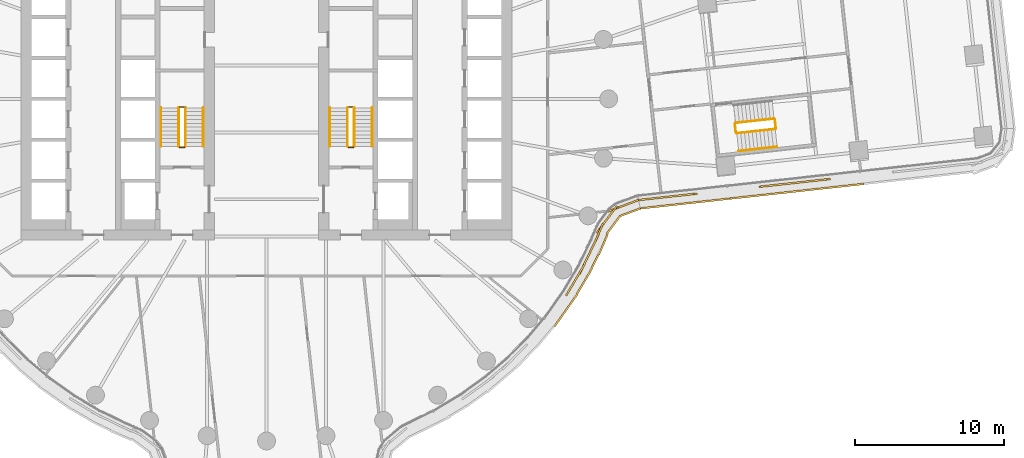
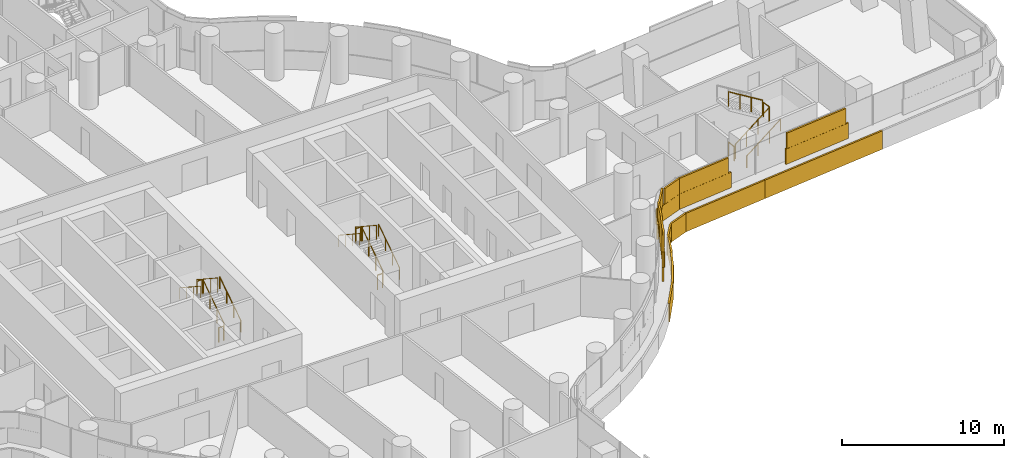
# One storey, part 28 of 31: 17 railings, 3 coverings.
"""IFC4 building model written with IfcOpenShell, lengths in metres."""

from ifc_helpers import new_model, si_unit, direction, frame, origin, origin_2d, place, context, subcontext, project, spatial, rectangle, circle, extrude, material, layer, layer_set, type_object, element, save


model = new_model("IFC4")

# Units and contexts
model_context = context("Model", 3, precision=1e-05, world=origin(), true_north=direction((0.0, 1.0)))
body_context = subcontext(model_context, "Body", "Model", "MODEL_VIEW")
ifc_project = project(units=[si_unit("LENGTHUNIT", "METRE"), si_unit("AREAUNIT", "SQUARE_METRE"), si_unit("VOLUMEUNIT", "CUBIC_METRE"), si_unit("PLANEANGLEUNIT", "RADIAN"), si_unit("MASSUNIT", "GRAM", prefix="KILO")], contexts=[model_context])

# Site, building, storey
site_placement = place(None, origin())
site = spatial("IfcSite", under=ifc_project, at=site_placement, CompositionType="ELEMENT")
building_placement = place(site_placement, origin())
building = spatial("IfcBuilding", under=site, at=building_placement, Name="Tamarind Cross Interchange Tower", CompositionType="ELEMENT")
storey_placement = place(building_placement, frame((0.0, 0.0, 56.5)))
storey = spatial("IfcBuildingStorey", under=building, at=storey_placement, Name="L12", CompositionType="ELEMENT", Elevation=56.5)

# Railings
ifc_material_1 = material(Name="Stair guard")
railing_type_1 = type_object("IfcRailingType", Name="Stair guard", PredefinedType="GUARDRAIL", material=ifc_material_1)
railing_1_placement = place(storey_placement, frame((-5.449951171875, -3.199951171875, 0.17041015625)))
element("IfcRailing", 1, at=railing_1_placement, inside=storey, type_object=railing_type_1, Name="L12 ST1 stair guard 1", PredefinedType="GUARDRAIL", context=body_context, shape_type="SweptSolid", body=[
    extrude(circle(Radius=0.02392578125, at=origin_2d()), frame((0.0, 0.0, 1.076171875), z_axis=(0.0, 0.836278606002, 0.548304744775), x_axis=(-1.0, 0.0, 0.0)), (0.0, 0.0, 1.0), 3.10888671875),
    extrude(circle(Radius=0.02099609375, at=origin_2d()), origin(), (0.0, 0.0, 1.0), 1.052001953125),
    extrude(circle(Radius=0.02099609375, at=origin_2d()), frame((0.0, 0.86669921875, 0.568115234375)), (0.0, 0.0, 1.0), 1.052001953125),
    extrude(circle(Radius=0.02099609375, at=origin_2d()), frame((0.0, 1.733154296875, 1.136474609375)), (0.0, 0.0, 1.0), 1.052001953125),
    extrude(circle(Radius=0.02099609375, at=origin_2d()), frame((0.0, 2.599853515625, 1.70458984375)), (0.0, 0.0, 1.0), 1.052001953125),
])
railing_2_placement = place(storey_placement, frame((-5.5, -0.550048828125, 1.875)))
element("IfcRailing", 2, at=railing_2_placement, inside=storey, type_object=railing_type_1, Name="L12 ST1 stair guard 2", PredefinedType="GUARDRAIL", context=body_context, shape_type="SweptSolid", body=[
    extrude(circle(Radius=0.02392578125, at=origin_2d()), frame((0.0, 0.0, 1.076171875), z_axis=(-1.0, 0.0, 0.0), x_axis=(0.0, -1.0, 0.0)), (0.0, 0.0, 1.0), 0.35009765625),
    extrude(circle(Radius=0.02099609375, at=origin_2d()), origin(), (0.0, 0.0, 1.0), 1.052001953125),
    extrude(circle(Radius=0.02099609375, at=origin_2d()), frame((-0.35009765625, 0.0, 0.0)), (0.0, 0.0, 1.0), 1.052001953125),
])
railing_3_placement = place(storey_placement, frame((-5.89990234375, -0.60009765625, 2.04541015625)))
element("IfcRailing", 3, at=railing_3_placement, inside=storey, type_object=railing_type_1, Name="L12 ST1 stair guard 3", PredefinedType="GUARDRAIL", context=body_context, shape_type="SweptSolid", body=[
    extrude(circle(Radius=0.02392578125, at=origin_2d()), frame((0.0, 0.0, 1.076171875), z_axis=(0.0, -0.836278606002, 0.548304744775), x_axis=(1.0, 0.0, 0.0)), (0.0, 0.0, 1.0), 3.10888671875),
    extrude(circle(Radius=0.02099609375, at=origin_2d()), origin(), (0.0, 0.0, 1.0), 1.052001953125),
    extrude(circle(Radius=0.02099609375, at=origin_2d()), frame((0.0, -0.86669921875, 0.568115234375)), (0.0, 0.0, 1.0), 1.052001953125),
    extrude(circle(Radius=0.02099609375, at=origin_2d()), frame((0.0, -1.733154296875, 1.136474609375)), (0.0, 0.0, 1.0), 1.052001953125),
    extrude(circle(Radius=0.02099609375, at=origin_2d()), frame((0.0, -2.599853515625, 1.70458984375)), (0.0, 0.0, 1.0), 1.052001953125),
])
railing_4_placement = place(storey_placement, frame((-5.5, -3.25, 0.0)))
element("IfcRailing", 4, at=railing_4_placement, inside=storey, type_object=railing_type_1, Name="L12 ST1 stair guard 4", PredefinedType="GUARDRAIL", context=body_context, shape_type="SweptSolid", body=[
    extrude(circle(Radius=0.02392578125, at=origin_2d()), frame((0.0, 0.0, 1.076171875), z_axis=(-1.0, 0.0, 0.0), x_axis=(0.0, -1.0, 0.0)), (0.0, 0.0, 1.0), 0.35009765625),
    extrude(circle(Radius=0.02099609375, at=origin_2d()), origin(), (0.0, 0.0, 1.0), 1.052001953125),
    extrude(circle(Radius=0.02099609375, at=origin_2d()), frame((-0.35009765625, 0.0, 0.0)), (0.0, 0.0, 1.0), 1.052001953125),
])
railing_5_placement = place(storey_placement, frame((5.89990234375, -3.199951171875, 0.17041015625)))
element("IfcRailing", 5, at=railing_5_placement, inside=storey, type_object=railing_type_1, Name="L12 ST2 stair guard 1", PredefinedType="GUARDRAIL", context=body_context, shape_type="SweptSolid", body=[
    extrude(circle(Radius=0.02392578125, at=origin_2d()), frame((0.0, 0.0, 1.076171875), z_axis=(0.0, 0.836278606002, 0.548304744775), x_axis=(-1.0, 0.0, 0.0)), (0.0, 0.0, 1.0), 3.10888671875),
    extrude(circle(Radius=0.02099609375, at=origin_2d()), origin(), (0.0, 0.0, 1.0), 1.052001953125),
    extrude(circle(Radius=0.02099609375, at=origin_2d()), frame((0.0, 0.86669921875, 0.568115234375)), (0.0, 0.0, 1.0), 1.052001953125),
    extrude(circle(Radius=0.02099609375, at=origin_2d()), frame((0.0, 1.733154296875, 1.136474609375)), (0.0, 0.0, 1.0), 1.052001953125),
    extrude(circle(Radius=0.02099609375, at=origin_2d()), frame((0.0, 2.599853515625, 1.70458984375)), (0.0, 0.0, 1.0), 1.052001953125),
])
railing_6_placement = place(storey_placement, frame((5.85009765625, -0.550048828125, 1.875)))
element("IfcRailing", 6, at=railing_6_placement, inside=storey, type_object=railing_type_1, Name="L12 ST2 stair guard 2", PredefinedType="GUARDRAIL", context=body_context, shape_type="SweptSolid", body=[
    extrude(circle(Radius=0.02392578125, at=origin_2d()), frame((0.0, 0.0, 1.076171875), z_axis=(-1.0, 0.0, 0.0), x_axis=(0.0, -1.0, 0.0)), (0.0, 0.0, 1.0), 0.35009765625),
    extrude(circle(Radius=0.02099609375, at=origin_2d()), origin(), (0.0, 0.0, 1.0), 1.052001953125),
    extrude(circle(Radius=0.02099609375, at=origin_2d()), frame((-0.35009765625, 0.0, 0.0)), (0.0, 0.0, 1.0), 1.052001953125),
])
railing_7_placement = place(storey_placement, frame((5.449951171875, -0.60009765625, 2.04541015625)))
element("IfcRailing", 7, at=railing_7_placement, inside=storey, type_object=railing_type_1, Name="L12 ST2 stair guard 3", PredefinedType="GUARDRAIL", context=body_context, shape_type="SweptSolid", body=[
    extrude(circle(Radius=0.02392578125, at=origin_2d()), frame((0.0, 0.0, 1.076171875), z_axis=(0.0, -0.836278606002, 0.548304744775), x_axis=(1.0, 0.0, 0.0)), (0.0, 0.0, 1.0), 3.10888671875),
    extrude(circle(Radius=0.02099609375, at=origin_2d()), origin(), (0.0, 0.0, 1.0), 1.052001953125),
    extrude(circle(Radius=0.02099609375, at=origin_2d()), frame((0.0, -0.86669921875, 0.568115234375)), (0.0, 0.0, 1.0), 1.052001953125),
    extrude(circle(Radius=0.02099609375, at=origin_2d()), frame((0.0, -1.733154296875, 1.136474609375)), (0.0, 0.0, 1.0), 1.052001953125),
    extrude(circle(Radius=0.02099609375, at=origin_2d()), frame((0.0, -2.599853515625, 1.70458984375)), (0.0, 0.0, 1.0), 1.052001953125),
])
railing_8_placement = place(storey_placement, frame((5.85009765625, -3.25, 0.0)))
element("IfcRailing", 8, at=railing_8_placement, inside=storey, type_object=railing_type_1, Name="L12 ST2 stair guard 4", PredefinedType="GUARDRAIL", context=body_context, shape_type="SweptSolid", body=[
    extrude(circle(Radius=0.02392578125, at=origin_2d()), frame((0.0, 0.0, 1.076171875), z_axis=(-1.0, 0.0, 0.0), x_axis=(0.0, -1.0, 0.0)), (0.0, 0.0, 1.0), 0.35009765625),
    extrude(circle(Radius=0.02099609375, at=origin_2d()), origin(), (0.0, 0.0, 1.0), 1.052001953125),
    extrude(circle(Radius=0.02099609375, at=origin_2d()), frame((-0.35009765625, 0.0, 0.0)), (0.0, 0.0, 1.0), 1.052001953125),
])
railing_9_placement = place(storey_placement, frame((31.610107421875, -2.314453125, 0.17041015625)))
element("IfcRailing", 9, at=railing_9_placement, inside=storey, type_object=railing_type_1, Name="L12 ST3 stair guard 1", PredefinedType="GUARDRAIL", context=body_context, shape_type="SweptSolid", body=[
    extrude(circle(Radius=0.02392578125, at=origin_2d()), frame((0.0, 0.0, 1.076171875), z_axis=(0.831293296749, 0.091327612329, 0.548279784423), x_axis=(-0.109205023982, 0.994019246663, 0.0)), (0.0, 0.0, 1.0), 3.10888671875),
    extrude(circle(Radius=0.02099609375, at=origin_2d()), origin(), (0.0, 0.0, 1.0), 1.052001953125),
    extrude(circle(Radius=0.02099609375, at=origin_2d()), frame((0.861572265625, 0.0947265625, 0.568115234375)), (0.0, 0.0, 1.0), 1.052001953125),
    extrude(circle(Radius=0.02099609375, at=origin_2d()), frame((1.722900390625, 0.189208984375, 1.136474609375)), (0.0, 0.0, 1.0), 1.052001953125),
    extrude(circle(Radius=0.02099609375, at=origin_2d()), frame((2.58447265625, 0.283935546875, 1.70458984375)), (0.0, 0.0, 1.0), 1.052001953125),
])
railing_10_placement = place(storey_placement, frame((34.23876953125, -1.975341796875, 1.875)))
element("IfcRailing", 10, at=railing_10_placement, inside=storey, type_object=railing_type_1, Name="L12 ST3 stair guard 2", PredefinedType="GUARDRAIL", context=body_context, shape_type="SweptSolid", body=[
    extrude(circle(Radius=0.02392578125, at=origin_2d()), frame((0.0, 0.0, 1.076171875), z_axis=(-0.109046994501, 0.994036595398, 0.0), x_axis=(-0.994036595398, -0.109046994501, 0.0)), (0.0, 0.0, 1.0), 0.60009765625),
    extrude(circle(Radius=0.02099609375, at=origin_2d()), origin(), (0.0, 0.0, 1.0), 1.052001953125),
    extrude(circle(Radius=0.02099609375, at=origin_2d()), frame((-0.0654296875, 0.596435546875, 0.0)), (0.0, 0.0, 1.0), 1.052001953125),
])
railing_11_placement = place(storey_placement, frame((34.1181640625, -1.334716796875, 2.04541015625)))
element("IfcRailing", 11, at=railing_11_placement, inside=storey, type_object=railing_type_1, Name="L12 ST3 stair guard 3", PredefinedType="GUARDRAIL", context=body_context, shape_type="SweptSolid", body=[
    extrude(circle(Radius=0.02392578125, at=origin_2d()), frame((0.0, 0.0, 1.076171875), z_axis=(-0.831293296749, -0.091327612329, 0.548279784423), x_axis=(0.109205023982, -0.994019246663, 0.0)), (0.0, 0.0, 1.0), 3.10888671875),
    extrude(circle(Radius=0.02099609375, at=origin_2d()), origin(), (0.0, 0.0, 1.0), 1.052001953125),
    extrude(circle(Radius=0.02099609375, at=origin_2d()), frame((-0.861572265625, -0.0947265625, 0.568115234375)), (0.0, 0.0, 1.0), 1.052001953125),
    extrude(circle(Radius=0.02099609375, at=origin_2d()), frame((-1.722900390625, -0.189208984375, 1.136474609375)), (0.0, 0.0, 1.0), 1.052001953125),
    extrude(circle(Radius=0.02099609375, at=origin_2d()), frame((-2.58447265625, -0.283935546875, 1.70458984375)), (0.0, 0.0, 1.0), 1.052001953125),
])
railing_12_placement = place(storey_placement, frame((31.554931640625, -2.270263671875, 0.0)))
element("IfcRailing", 12, at=railing_12_placement, inside=storey, type_object=railing_type_1, Name="L12 ST3 stair guard 4", PredefinedType="GUARDRAIL", context=body_context, shape_type="SweptSolid", body=[
    extrude(circle(Radius=0.02392578125, at=origin_2d()), frame((0.0, 0.0, 1.076171875), z_axis=(-0.109046994501, 0.994036595398, 0.0), x_axis=(-0.994036595398, -0.109046994501, 0.0)), (0.0, 0.0, 1.0), 0.60009765625),
    extrude(circle(Radius=0.02099609375, at=origin_2d()), origin(), (0.0, 0.0, 1.0), 1.052001953125),
    extrude(circle(Radius=0.02099609375, at=origin_2d()), frame((-0.0654296875, 0.596435546875, 0.0)), (0.0, 0.0, 1.0), 1.052001953125),
])
ifc_material_2 = material(Name="Stair handrail")
railing_type_2 = type_object("IfcRailingType", Name="Stair handrail", PredefinedType="HANDRAIL", material=ifc_material_2)
railing_13_placement = place(storey_placement, frame((-4.25, -3.199951171875, 0.17041015625)))
element("IfcRailing", 13, at=railing_13_placement, inside=storey, type_object=railing_type_2, Name="L12 ST1 stair handrail 1", PredefinedType="HANDRAIL", context=body_context, shape_type="SweptSolid", body=[
    extrude(circle(Radius=0.02392578125, at=origin_2d()), frame((0.0, 0.0, 0.8759765625), z_axis=(0.0, 0.836278606002, 0.548304744775), x_axis=(-1.0, 0.0, 0.0)), (0.0, 0.0, 1.0), 3.10888671875),
    extrude(circle(Radius=0.02099609375, at=origin_2d()), origin(), (0.0, 0.0, 1.0), 0.851806640625),
    extrude(circle(Radius=0.02099609375, at=origin_2d()), frame((0.0, 0.86669921875, 0.568115234375)), (0.0, 0.0, 1.0), 0.851806640625),
    extrude(circle(Radius=0.02099609375, at=origin_2d()), frame((0.0, 1.733154296875, 1.136474609375)), (0.0, 0.0, 1.0), 0.851806640625),
    extrude(circle(Radius=0.02099609375, at=origin_2d()), frame((0.0, 2.599853515625, 1.70458984375)), (0.0, 0.0, 1.0), 0.851806640625),
])
railing_14_placement = place(storey_placement, frame((-7.10009765625, -0.60009765625, 2.04541015625)))
element("IfcRailing", 14, at=railing_14_placement, inside=storey, type_object=railing_type_2, Name="L12 ST1 stair handrail 2", PredefinedType="HANDRAIL", context=body_context, shape_type="SweptSolid", body=[
    extrude(circle(Radius=0.02392578125, at=origin_2d()), frame((0.0, 0.0, 0.8759765625), z_axis=(0.0, -0.836278606002, 0.548304744775), x_axis=(1.0, 0.0, 0.0)), (0.0, 0.0, 1.0), 3.10888671875),
    extrude(circle(Radius=0.02099609375, at=origin_2d()), origin(), (0.0, 0.0, 1.0), 0.851806640625),
    extrude(circle(Radius=0.02099609375, at=origin_2d()), frame((0.0, -0.86669921875, 0.568115234375)), (0.0, 0.0, 1.0), 0.851806640625),
    extrude(circle(Radius=0.02099609375, at=origin_2d()), frame((0.0, -1.733154296875, 1.136474609375)), (0.0, 0.0, 1.0), 0.851806640625),
    extrude(circle(Radius=0.02099609375, at=origin_2d()), frame((0.0, -2.599853515625, 1.70458984375)), (0.0, 0.0, 1.0), 0.851806640625),
])
railing_15_placement = place(storey_placement, frame((7.10009765625, -3.199951171875, 0.17041015625)))
element("IfcRailing", 15, at=railing_15_placement, inside=storey, type_object=railing_type_2, Name="L12 ST2 stair handrail 1", PredefinedType="HANDRAIL", context=body_context, shape_type="SweptSolid", body=[
    extrude(circle(Radius=0.02392578125, at=origin_2d()), frame((0.0, 0.0, 0.8759765625), z_axis=(0.0, 0.836278606002, 0.548304744775), x_axis=(-1.0, 0.0, 0.0)), (0.0, 0.0, 1.0), 3.10888671875),
    extrude(circle(Radius=0.02099609375, at=origin_2d()), origin(), (0.0, 0.0, 1.0), 0.851806640625),
    extrude(circle(Radius=0.02099609375, at=origin_2d()), frame((0.0, 0.86669921875, 0.568115234375)), (0.0, 0.0, 1.0), 0.851806640625),
    extrude(circle(Radius=0.02099609375, at=origin_2d()), frame((0.0, 1.733154296875, 1.136474609375)), (0.0, 0.0, 1.0), 0.851806640625),
    extrude(circle(Radius=0.02099609375, at=origin_2d()), frame((0.0, 2.599853515625, 1.70458984375)), (0.0, 0.0, 1.0), 0.851806640625),
])
railing_16_placement = place(storey_placement, frame((4.25, -0.60009765625, 2.04541015625)))
element("IfcRailing", 16, at=railing_16_placement, inside=storey, type_object=railing_type_2, Name="L12 ST2 stair handrail 2", PredefinedType="HANDRAIL", context=body_context, shape_type="SweptSolid", body=[
    extrude(circle(Radius=0.02392578125, at=origin_2d()), frame((0.0, 0.0, 0.8759765625), z_axis=(0.0, -0.836278606002, 0.548304744775), x_axis=(1.0, 0.0, 0.0)), (0.0, 0.0, 1.0), 3.10888671875),
    extrude(circle(Radius=0.02099609375, at=origin_2d()), origin(), (0.0, 0.0, 1.0), 0.851806640625),
    extrude(circle(Radius=0.02099609375, at=origin_2d()), frame((0.0, -0.86669921875, 0.568115234375)), (0.0, 0.0, 1.0), 0.851806640625),
    extrude(circle(Radius=0.02099609375, at=origin_2d()), frame((0.0, -1.733154296875, 1.136474609375)), (0.0, 0.0, 1.0), 0.851806640625),
    extrude(circle(Radius=0.02099609375, at=origin_2d()), frame((0.0, -2.599853515625, 1.70458984375)), (0.0, 0.0, 1.0), 0.851806640625),
])
railing_17_placement = place(storey_placement, frame((31.7412109375, -3.50732421875, 0.17041015625)))
element("IfcRailing", 17, at=railing_17_placement, inside=storey, type_object=railing_type_2, Name="L12 ST3 stair handrail 1", PredefinedType="HANDRAIL", context=body_context, shape_type="SweptSolid", body=[
    extrude(circle(Radius=0.02392578125, at=origin_2d()), frame((0.0, 0.0, 0.8759765625), z_axis=(0.831293296749, 0.091327612329, 0.548279784423), x_axis=(-0.109205023982, 0.994019246663, 0.0)), (0.0, 0.0, 1.0), 3.10888671875),
    extrude(circle(Radius=0.02099609375, at=origin_2d()), origin(), (0.0, 0.0, 1.0), 0.851806640625),
    extrude(circle(Radius=0.02099609375, at=origin_2d()), frame((0.861572265625, 0.0947265625, 0.568115234375)), (0.0, 0.0, 1.0), 0.851806640625),
    extrude(circle(Radius=0.02099609375, at=origin_2d()), frame((1.722900390625, 0.189208984375, 1.136474609375)), (0.0, 0.0, 1.0), 0.851806640625),
    extrude(circle(Radius=0.02099609375, at=origin_2d()), frame((2.58447265625, 0.283935546875, 1.70458984375)), (0.0, 0.0, 1.0), 0.851806640625),
])

# Coverings
ifc_material_3 = material(Name="Terracotta", Category="masonry")
ifc_layer = layer(ifc_material_3, 0.1201171875)
ifc_layer_set = layer_set([ifc_layer], Name="Terracotta")
covering_type = type_object("IfcCoveringType", Name="Terracotta baguette screen unit", PredefinedType="MOLDING", material=ifc_layer_set)
covering_1_placement = place(storey_placement, origin())
element("IfcCovering", 18, at=covering_1_placement, inside=storey, type_object=covering_type, Name="SCR-L12-14-01", PredefinedType="MOLDING", context=body_context, shape_type="SweptSolid", body=[
    extrude(rectangle(XDim=1.52001953125, YDim=0.1201171875, at=origin_2d()), frame((20.618896484375, -12.41162109375, 1.404052734375), z_axis=(0.0, 0.0, 1.0), x_axis=(0.508183308752, 0.861248933065, 0.0)), (0.0, 0.0, 1.0), 1.1669921875),
    extrude(rectangle(XDim=1.52001953125, YDim=0.1201171875, at=origin_2d()), frame((21.35986328125, -11.108154296875, 1.404052734375), z_axis=(0.0, 0.0, 1.0), x_axis=(0.435326231914, 0.900272776334, 0.0)), (0.0, 0.0, 1.0), 1.1669921875),
    extrude(rectangle(XDim=1.52001953125, YDim=0.1201171875, at=origin_2d()), frame((22.012939453125, -9.7578125, 1.404052734375), z_axis=(0.0, 0.0, 1.0), x_axis=(0.435326231914, 0.900272776334, 0.0)), (0.0, 0.0, 1.0), 1.1669921875),
    extrude(rectangle(XDim=1.52001953125, YDim=0.1201171875, at=origin_2d()), frame((22.651123046875, -8.405517578125, 1.404052734375), z_axis=(0.0, 0.0, 1.0), x_axis=(0.600694337457, 0.799478775796, 0.0)), (0.0, 0.0, 1.0), 1.1669921875),
    extrude(rectangle(XDim=1.52001953125, YDim=0.1201171875, at=origin_2d()), frame((23.651611328125, -7.3056640625, 1.404052734375), z_axis=(0.0, 0.0, 1.0), x_axis=(0.937012119325, 0.349296848309, 0.0)), (0.0, 0.0, 1.0), 1.1669921875),
    extrude(rectangle(XDim=0.69921875, YDim=0.1201171875, at=origin_2d()), frame((24.67724609375, -6.92333984375, 1.404052734375), z_axis=(0.0, 0.0, 1.0), x_axis=(0.937012119325, 0.349296848309, 0.0)), (0.0, 0.0, 1.0), 1.1669921875),
    extrude(rectangle(XDim=0.9638671875, YDim=0.1201171875, at=origin_2d()), frame((20.376708984375, -12.822265625, 2.5791015625), z_axis=(0.0, 0.0, 1.0), x_axis=(0.508183308752, 0.861248933065, 0.0)), (0.0, 0.0, 1.0), 1.1669921875),
    extrude(rectangle(XDim=1.52001953125, YDim=0.1201171875, at=origin_2d()), frame((21.000244140625, -11.765625, 2.5791015625), z_axis=(0.0, 0.0, 1.0), x_axis=(0.508183308752, 0.861248933065, 0.0)), (0.0, 0.0, 1.0), 1.1669921875),
    extrude(rectangle(XDim=1.52001953125, YDim=0.1201171875, at=origin_2d()), frame((21.686279296875, -10.43310546875, 2.5791015625), z_axis=(0.0, 0.0, 1.0), x_axis=(0.435326231914, 0.900272776334, 0.0)), (0.0, 0.0, 1.0), 1.1669921875),
    extrude(rectangle(XDim=1.52001953125, YDim=0.1201171875, at=origin_2d()), frame((22.31640625, -9.072265625, 2.5791015625), z_axis=(0.0, 0.0, 1.0), x_axis=(0.393749270714, 0.91921788049, 0.0)), (0.0, 0.0, 1.0), 1.1669921875),
    extrude(rectangle(XDim=1.52001953125, YDim=0.1201171875, at=origin_2d()), frame((23.1015625, -7.805908203125, 2.5791015625), z_axis=(0.0, 0.0, 1.0), x_axis=(0.600694337457, 0.799478775796, 0.0)), (0.0, 0.0, 1.0), 1.1669921875),
    extrude(rectangle(XDim=1.44921875, YDim=0.1201171875, at=origin_2d()), frame((24.32568359375, -7.054443359375, 2.5791015625), z_axis=(0.0, 0.0, 1.0), x_axis=(0.937012119325, 0.349296848309, 0.0)), (0.0, 0.0, 1.0), 1.1669921875),
    extrude(rectangle(XDim=1.170654296875, YDim=0.1201171875, at=origin_2d()), frame((19.69873046875, -14.818359375, 0.00390625), z_axis=(0.0, 0.0, 1.0), x_axis=(0.577568978284, 0.816341886298, 0.0)), (0.0, 0.0, 1.0), 1.39208984375),
    extrude(rectangle(XDim=1.52001953125, YDim=0.1201171875, at=origin_2d()), frame((20.464111328125, -13.736572265625, 0.00390625), z_axis=(0.0, 0.0, 1.0), x_axis=(0.577568978284, 0.816341886298, 0.0)), (0.0, 0.0, 1.0), 1.39208984375),
    extrude(rectangle(XDim=1.52001953125, YDim=0.1201171875, at=origin_2d()), frame((21.255126953125, -12.463134765625, 0.00390625), z_axis=(0.0, 0.0, 1.0), x_axis=(0.508183308752, 0.861248933065, 0.0)), (0.0, 0.0, 1.0), 1.39208984375),
    extrude(rectangle(XDim=1.52001953125, YDim=0.1201171875, at=origin_2d()), frame((21.977294921875, -11.14990234375, 0.00390625), z_axis=(0.0, 0.0, 1.0), x_axis=(0.435326231914, 0.900272776334, 0.0)), (0.0, 0.0, 1.0), 1.39208984375),
    extrude(rectangle(XDim=1.52001953125, YDim=0.1201171875, at=origin_2d()), frame((22.62939453125, -9.799072265625, 0.00390625), z_axis=(0.0, 0.0, 1.0), x_axis=(0.393749270714, 0.91921788049, 0.0)), (0.0, 0.0, 1.0), 1.39208984375),
    extrude(rectangle(XDim=1.52001953125, YDim=0.1201171875, at=origin_2d()), frame((23.316162109375, -8.475830078125, 0.00390625), z_axis=(0.0, 0.0, 1.0), x_axis=(0.600694337457, 0.799478775796, 0.0)), (0.0, 0.0, 1.0), 1.39208984375),
    extrude(rectangle(XDim=1.455322265625, YDim=0.1201171875, at=origin_2d()), frame((24.451904296875, -7.6201171875, 0.00390625), z_axis=(0.0, 0.0, 1.0), x_axis=(0.937012119325, 0.349296848309, 0.0)), (0.0, 0.0, 1.0), 1.39208984375),
])
covering_2_placement = place(storey_placement, origin())
element("IfcCovering", 19, at=covering_2_placement, inside=storey, type_object=covering_type, Name="SCR-L12-15-00", PredefinedType="MOLDING", context=body_context, shape_type="SweptSolid", body=[
    extrude(rectangle(XDim=1.510009765625, YDim=0.1201171875, at=origin_2d()), frame((25.74560546875, -6.72119140625, 1.404052734375), z_axis=(0.0, 0.0, 1.0), x_axis=(0.994020563105, 0.109193040639, 0.0)), (0.0, 0.0, 1.0), 1.1669921875),
    extrude(rectangle(XDim=1.52001953125, YDim=0.1201171875, at=origin_2d()), frame((27.236572265625, -6.557373046875, 1.404052734375), z_axis=(0.0, 0.0, 1.0), x_axis=(0.994020563105, 0.109193040639, 0.0)), (0.0, 0.0, 1.0), 1.1669921875),
    extrude(rectangle(XDim=0.982177734375, YDim=0.1201171875, at=origin_2d()), frame((28.46533203125, -6.42236328125, 1.404052734375), z_axis=(0.0, 0.0, 1.0), x_axis=(0.994020563105, 0.109193040639, 0.0)), (0.0, 0.0, 1.0), 1.1669921875),
    extrude(rectangle(XDim=0.760009765625, YDim=0.1201171875, at=origin_2d()), frame((25.372802734375, -6.76220703125, 2.5791015625), z_axis=(0.0, 0.0, 1.0), x_axis=(0.994020563105, 0.109193040639, 0.0)), (0.0, 0.0, 1.0), 1.1669921875),
    extrude(rectangle(XDim=1.52001953125, YDim=0.1201171875, at=origin_2d()), frame((26.490966796875, -6.639404296875, 2.5791015625), z_axis=(0.0, 0.0, 1.0), x_axis=(0.994020563105, 0.109193040639, 0.0)), (0.0, 0.0, 1.0), 1.1669921875),
    extrude(rectangle(XDim=1.52001953125, YDim=0.1201171875, at=origin_2d()), frame((27.982177734375, -6.4755859375, 2.5791015625), z_axis=(0.0, 0.0, 1.0), x_axis=(0.994020563105, 0.109193040639, 0.0)), (0.0, 0.0, 1.0), 1.1669921875),
    extrude(rectangle(XDim=1.510009765625, YDim=0.1201171875, at=origin_2d()), frame((25.884033203125, -7.283447265625, 0.00390625), z_axis=(0.0, 0.0, 1.0), x_axis=(0.994020563105, 0.109193040639, 0.0)), (0.0, 0.0, 1.0), 1.39208984375),
    extrude(rectangle(XDim=1.52001953125, YDim=0.1201171875, at=origin_2d()), frame((27.3701171875, -7.1201171875, 0.00390625), z_axis=(0.0, 0.0, 1.0), x_axis=(0.994020563105, 0.109193040639, 0.0)), (0.0, 0.0, 1.0), 1.39208984375),
    extrude(rectangle(XDim=1.52001953125, YDim=0.1201171875, at=origin_2d()), frame((28.861328125, -6.956298828125, 0.00390625), z_axis=(0.0, 0.0, 1.0), x_axis=(0.994020563105, 0.109193040639, 0.0)), (0.0, 0.0, 1.0), 1.39208984375),
    extrude(rectangle(XDim=1.52001953125, YDim=0.1201171875, at=origin_2d()), frame((30.352294921875, -6.792724609375, 0.00390625), z_axis=(0.0, 0.0, 1.0), x_axis=(0.994020563105, 0.109193040639, 0.0)), (0.0, 0.0, 1.0), 1.39208984375),
    extrude(rectangle(XDim=0.083251953125, YDim=0.1201171875, at=origin_2d()), frame((31.129150390625, -6.707275390625, 0.00390625), z_axis=(0.0, 0.0, 1.0), x_axis=(0.994020563105, 0.109193040639, 0.0)), (0.0, 0.0, 1.0), 1.39208984375),
])
covering_3_placement = place(storey_placement, origin())
element("IfcCovering", 20, at=covering_3_placement, inside=storey, type_object=covering_type, Name="SCR-L12-15-01", PredefinedType="MOLDING", context=body_context, shape_type="SweptSolid", body=[
    extrude(rectangle(XDim=0.837890625, YDim=0.1201171875, at=origin_2d()), frame((33.53466796875, -5.865478515625, 1.404052734375), z_axis=(0.0, 0.0, 1.0), x_axis=(0.994020563105, 0.109193040639, 0.0)), (0.0, 0.0, 1.0), 1.1669921875),
    extrude(rectangle(XDim=1.52001953125, YDim=0.1201171875, at=origin_2d()), frame((34.691650390625, -5.738525390625, 1.404052734375), z_axis=(0.0, 0.0, 1.0), x_axis=(0.994020563105, 0.109193040639, 0.0)), (0.0, 0.0, 1.0), 1.1669921875),
    extrude(rectangle(XDim=1.52001953125, YDim=0.1201171875, at=origin_2d()), frame((36.182861328125, -5.57470703125, 1.404052734375), z_axis=(0.0, 0.0, 1.0), x_axis=(0.994020563105, 0.109193040639, 0.0)), (0.0, 0.0, 1.0), 1.1669921875),
    extrude(rectangle(XDim=0.982421875, YDim=0.1201171875, at=origin_2d()), frame((37.41162109375, -5.439697265625, 1.404052734375), z_axis=(0.0, 0.0, 1.0), x_axis=(0.994020563105, 0.109193040639, 0.0)), (0.0, 0.0, 1.0), 1.1669921875),
    extrude(rectangle(XDim=1.52001953125, YDim=0.1201171875, at=origin_2d()), frame((33.9462890625, -5.8203125, 2.5791015625), z_axis=(0.0, 0.0, 1.0), x_axis=(0.994020563105, 0.109193040639, 0.0)), (0.0, 0.0, 1.0), 1.1669921875),
    extrude(rectangle(XDim=1.52001953125, YDim=0.1201171875, at=origin_2d()), frame((35.437255859375, -5.656494140625, 2.5791015625), z_axis=(0.0, 0.0, 1.0), x_axis=(0.994020563105, 0.109193040639, 0.0)), (0.0, 0.0, 1.0), 1.1669921875),
    extrude(rectangle(XDim=1.52001953125, YDim=0.1201171875, at=origin_2d()), frame((36.92822265625, -5.49267578125, 2.5791015625), z_axis=(0.0, 0.0, 1.0), x_axis=(0.994020563105, 0.109193040639, 0.0)), (0.0, 0.0, 1.0), 1.1669921875),
    extrude(rectangle(XDim=1.436767578125, YDim=0.1201171875, at=origin_2d()), frame((31.884765625, -6.624267578125, 0.00390625), z_axis=(0.0, 0.0, 1.0), x_axis=(0.994020563105, 0.109193040639, 0.0)), (0.0, 0.0, 1.0), 1.39208984375),
    extrude(rectangle(XDim=1.52001953125, YDim=0.1201171875, at=origin_2d()), frame((33.334228515625, -6.465087890625, 0.00390625), z_axis=(0.0, 0.0, 1.0), x_axis=(0.994020563105, 0.109193040639, 0.0)), (0.0, 0.0, 1.0), 1.39208984375),
    extrude(rectangle(XDim=1.52001953125, YDim=0.1201171875, at=origin_2d()), frame((34.825439453125, -6.30126953125, 0.00390625), z_axis=(0.0, 0.0, 1.0), x_axis=(0.994020563105, 0.109193040639, 0.0)), (0.0, 0.0, 1.0), 1.39208984375),
    extrude(rectangle(XDim=1.52001953125, YDim=0.1201171875, at=origin_2d()), frame((36.31640625, -6.137451171875, 0.00390625), z_axis=(0.0, 0.0, 1.0), x_axis=(0.994020563105, 0.109193040639, 0.0)), (0.0, 0.0, 1.0), 1.39208984375),
    extrude(rectangle(XDim=1.52001953125, YDim=0.1201171875, at=origin_2d()), frame((37.807373046875, -5.9736328125, 0.00390625), z_axis=(0.0, 0.0, 1.0), x_axis=(0.994020563105, 0.109193040639, 0.0)), (0.0, 0.0, 1.0), 1.39208984375),
    extrude(rectangle(XDim=1.52001953125, YDim=0.1201171875, at=origin_2d()), frame((39.29833984375, -5.809814453125, 0.00390625), z_axis=(0.0, 0.0, 1.0), x_axis=(0.994020563105, 0.109193040639, 0.0)), (0.0, 0.0, 1.0), 1.39208984375),
    extrude(rectangle(XDim=0.0849609375, YDim=0.1201171875, at=origin_2d()), frame((40.076416015625, -5.724365234375, 0.00390625), z_axis=(0.0, 0.0, 1.0), x_axis=(0.994020563105, 0.109193040639, 0.0)), (0.0, 0.0, 1.0), 1.39208984375),
])

save(model, "model.ifc")
